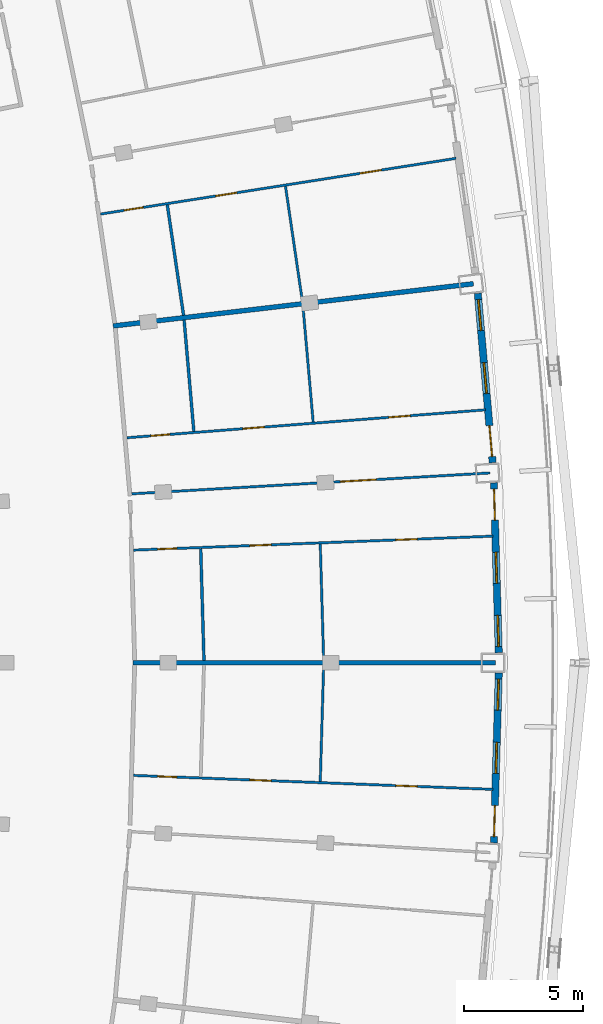
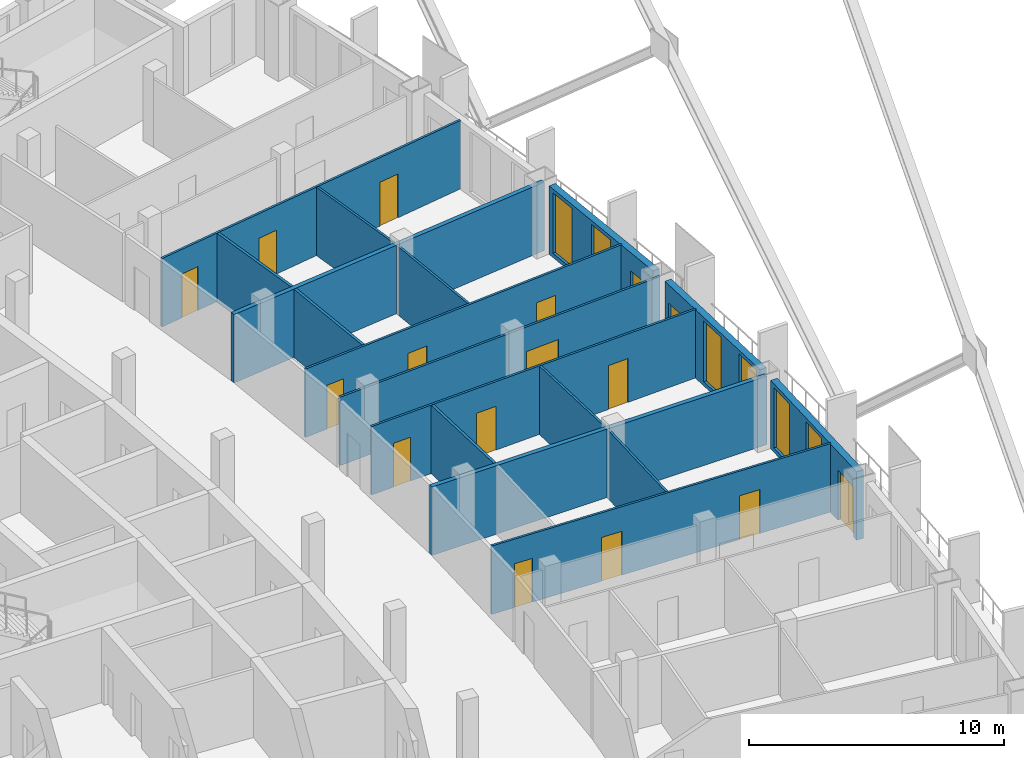
# One storey, part 12 of 21: 17 walls, 16 doors, 6 windows, 22 openings.
"""IFC4 building model written with IfcOpenShell, lengths in metres."""

from ifc_helpers import new_model, si_unit, direction, frame, frame_2d, origin, place, context, subcontext, project, spatial, rectangle, extrude, material, layer, layer_set, type_object, element, fill, save


model = new_model("IFC4")

# Units and contexts
model_context = context("Model", 3, precision=1e-05, world=origin(), true_north=direction((0.0, 1.0)))
body_context = subcontext(model_context, "Body", "Model", "MODEL_VIEW")
ifc_project = project(units=[si_unit("LENGTHUNIT", "METRE"), si_unit("AREAUNIT", "SQUARE_METRE"), si_unit("VOLUMEUNIT", "CUBIC_METRE"), si_unit("PLANEANGLEUNIT", "RADIAN"), si_unit("MASSUNIT", "GRAM", prefix="KILO")], contexts=[model_context])

# Site, building, storey
site_placement = place(None, origin())
site = spatial("IfcSite", under=ifc_project, at=site_placement, CompositionType="ELEMENT")
building_placement = place(site_placement, origin())
building = spatial("IfcBuilding", under=site, at=building_placement, Name="Alderwake Tower", CompositionType="ELEMENT")
storey_placement = place(building_placement, frame((0.0, 0.0, 267.199951171875)))
storey = spatial("IfcBuildingStorey", under=building, at=storey_placement, Name="L66", CompositionType="ELEMENT", Elevation=267.199951171875)

# Wall, openings, door, windows
ifc_material_1 = material(Name="Precast concrete C50/60 spandrel panel", Category="concrete")
ifc_layer_1 = layer(ifc_material_1, 0.300048828125)
ifc_layer_set_1 = layer_set([ifc_layer_1], Name="External wall EW1 Precast concrete C50/60 spandrel")
wall_type_1 = type_object("IfcWallType", Name="External wall EW1 Precast concrete C50/60 spandrel", PredefinedType="SOLIDWALL", material=ifc_layer_set_1)
wall_1_placement = place(storey_placement, frame((56.230224609375, 53.46630859375, 0.0), z_axis=(0.0, 0.0, 1.0), x_axis=(0.029165124817, 0.999574607268, 0.0)))
wall_1 = element("IfcWall", 1, at=wall_1_placement, inside=storey, type_object=wall_type_1, Name="External wall 15", PredefinedType="SOLIDWALL", context=body_context, shape_type="SweptSolid", body=[
    extrude(rectangle(XDim=7.115234375, YDim=0.300048828125, at=frame_2d((3.5576171875, 0.0))), origin(), (0.0, 0.0, 1.0), 3.280029296875),
])
opening_1_placement = place(wall_1_placement, frame((0.259521484375, 0.0, 0.0)))
opening_1 = element("IfcOpeningElement", 2, at=opening_1_placement, cuts=wall_1, Name="Opening D05", PredefinedType="OPENING", context=body_context, shape_type="SweptSolid", body=[
    extrude(rectangle(XDim=1.300048828125, YDim=2.39990234375, at=frame_2d((0.64990234375, 1.199951171875))), frame((0.0, 0.159912109375, 0.0), z_axis=(0.0, -1.0, 0.0), x_axis=(1.0, 0.0, 0.0)), (0.0, 0.0, 1.0), 0.320068359375),
])
opening_2_placement = place(wall_1_placement, frame((2.907470703125, 0.0, 0.199951171875)))
opening_2 = element("IfcOpeningElement", 3, at=opening_2_placement, cuts=wall_1, Name="Opening W1", PredefinedType="OPENING", context=body_context, shape_type="SweptSolid", body=[
    extrude(rectangle(XDim=1.300048828125, YDim=2.89990234375, at=frame_2d((0.64990234375, 1.449951171875))), frame((0.0, 0.159912109375, 0.0), z_axis=(0.0, -1.0, 0.0), x_axis=(1.0, 0.0, 0.0)), (0.0, 0.0, 1.0), 0.320068359375),
])
opening_3_placement = place(wall_1_placement, frame((5.555419921875, 0.0, 0.199951171875)))
opening_3 = element("IfcOpeningElement", 4, at=opening_3_placement, cuts=wall_1, Name="Opening W1", PredefinedType="OPENING", context=body_context, shape_type="SweptSolid", body=[
    extrude(rectangle(XDim=1.300048828125, YDim=2.89990234375, at=frame_2d((0.64990234375, 1.449951171875))), frame((0.0, 0.159912109375, 0.0), z_axis=(0.0, -1.0, 0.0), x_axis=(1.0, 0.0, 0.0)), (0.0, 0.0, 1.0), 0.320068359375),
])
ifc_material_2 = material(Name="Bronze tinted glass in aluminium frame", Category="aluminium")
door_type_1 = type_object("IfcDoorType", Name="Balcony door BD sliding", OperationType="SLIDING_TO_LEFT", PredefinedType="DOOR", material=ifc_material_2)
door_1_placement = place(opening_1_placement, origin())
door_1 = element("IfcDoor", 5, at=door_1_placement, inside=storey, type_object=door_type_1, Name="Door D05", OperationType="SLIDING_TO_LEFT", OverallHeight=2.39990234375, OverallWidth=1.300048828125, PredefinedType="DOOR", context=body_context, shape_type="SweptSolid", body=[
    extrude(rectangle(XDim=1.300048828125, YDim=2.39990234375, at=frame_2d((0.64990234375, 1.199951171875))), frame((0.0, 0.02490234375, 0.0), z_axis=(0.0, -1.0, 0.0), x_axis=(1.0, 0.0, 0.0)), (0.0, 0.0, 1.0), 0.050048828125),
])
fill(opening_1, door_1)
ifc_material_3 = material(Name="Bronze tinted glass in aluminium frame", Category="aluminium")
window_type = type_object("IfcWindowType", Name="Window W1 tall fixed and vent", PartitioningType="DOUBLE_PANEL_VERTICAL", PredefinedType="WINDOW", material=ifc_material_3)
window_1_placement = place(opening_2_placement, origin())
window_1 = element("IfcWindow", 6, at=window_1_placement, inside=storey, type_object=window_type, Name="Window W1 tall fixed and vent", OverallHeight=2.89990234375, OverallWidth=1.300048828125, PartitioningType="DOUBLE_PANEL_VERTICAL", PredefinedType="WINDOW", context=body_context, shape_type="SweptSolid", body=[
    extrude(rectangle(XDim=1.300048828125, YDim=2.89990234375, at=frame_2d((0.64990234375, 1.449951171875))), frame((0.0, 0.030029296875, 0.0), z_axis=(0.0, -1.0, 0.0), x_axis=(1.0, 0.0, 0.0)), (0.0, 0.0, 1.0), 0.06005859375),
])
fill(opening_2, window_1)
window_2_placement = place(opening_3_placement, origin())
window_2 = element("IfcWindow", 7, at=window_2_placement, inside=storey, type_object=window_type, Name="Window W1 tall fixed and vent", OverallHeight=2.89990234375, OverallWidth=1.300048828125, PartitioningType="DOUBLE_PANEL_VERTICAL", PredefinedType="WINDOW", context=body_context, shape_type="SweptSolid", body=[
    extrude(rectangle(XDim=1.300048828125, YDim=2.89990234375, at=frame_2d((0.64990234375, 1.449951171875))), frame((0.0, 0.030029296875, 0.0), z_axis=(0.0, -1.0, 0.0), x_axis=(1.0, 0.0, 0.0)), (0.0, 0.0, 1.0), 0.06005859375),
])
fill(opening_3, window_2)

wall_2_placement = place(storey_placement, frame((56.437744140625, 61.42138671875, 0.0), z_axis=(0.0, 0.0, 1.0), x_axis=(-0.029165124817, 0.999574607268, 0.0)))
wall_2 = element("IfcWall", 8, at=wall_2_placement, inside=storey, type_object=wall_type_1, Name="External wall 16", PredefinedType="SOLIDWALL", context=body_context, shape_type="SweptSolid", body=[
    extrude(rectangle(XDim=7.115234375, YDim=0.300048828125, at=frame_2d((3.5576171875, 0.0))), origin(), (0.0, 0.0, 1.0), 3.280029296875),
])
opening_4_placement = place(wall_2_placement, frame((0.259521484375, 0.0, 0.199951171875)))
opening_4 = element("IfcOpeningElement", 9, at=opening_4_placement, cuts=wall_2, Name="Opening W1", PredefinedType="OPENING", context=body_context, shape_type="SweptSolid", body=[
    extrude(rectangle(XDim=1.300048828125, YDim=2.89990234375, at=frame_2d((0.64990234375, 1.449951171875))), frame((0.0, 0.159912109375, 0.0), z_axis=(0.0, -1.0, 0.0), x_axis=(1.0, 0.0, 0.0)), (0.0, 0.0, 1.0), 0.320068359375),
])
opening_5_placement = place(wall_2_placement, frame((2.907470703125, 0.0, 0.199951171875)))
opening_5 = element("IfcOpeningElement", 10, at=opening_5_placement, cuts=wall_2, Name="Opening W1", PredefinedType="OPENING", context=body_context, shape_type="SweptSolid", body=[
    extrude(rectangle(XDim=1.300048828125, YDim=2.89990234375, at=frame_2d((0.64990234375, 1.449951171875))), frame((0.0, 0.159912109375, 0.0), z_axis=(0.0, -1.0, 0.0), x_axis=(1.0, 0.0, 0.0)), (0.0, 0.0, 1.0), 0.320068359375),
])
opening_6_placement = place(wall_2_placement, frame((5.555419921875, 0.0, 0.0)))
opening_6 = element("IfcOpeningElement", 11, at=opening_6_placement, cuts=wall_2, Name="Opening D06", PredefinedType="OPENING", context=body_context, shape_type="SweptSolid", body=[
    extrude(rectangle(XDim=1.300048828125, YDim=2.39990234375, at=frame_2d((0.64990234375, 1.199951171875))), frame((0.0, 0.159912109375, 0.0), z_axis=(0.0, -1.0, 0.0), x_axis=(1.0, 0.0, 0.0)), (0.0, 0.0, 1.0), 0.320068359375),
])
door_2_placement = place(opening_6_placement, origin())
door_2 = element("IfcDoor", 12, at=door_2_placement, inside=storey, type_object=door_type_1, Name="Door D06", OperationType="SLIDING_TO_LEFT", OverallHeight=2.39990234375, OverallWidth=1.300048828125, PredefinedType="DOOR", context=body_context, shape_type="SweptSolid", body=[
    extrude(rectangle(XDim=1.300048828125, YDim=2.39990234375, at=frame_2d((0.64990234375, 1.199951171875))), frame((0.0, 0.02490234375, 0.0), z_axis=(0.0, -1.0, 0.0), x_axis=(1.0, 0.0, 0.0)), (0.0, 0.0, 1.0), 0.050048828125),
])
fill(opening_6, door_2)
window_3_placement = place(opening_4_placement, origin())
window_3 = element("IfcWindow", 13, at=window_3_placement, inside=storey, type_object=window_type, Name="Window W1 tall fixed and vent", OverallHeight=2.89990234375, OverallWidth=1.300048828125, PartitioningType="DOUBLE_PANEL_VERTICAL", PredefinedType="WINDOW", context=body_context, shape_type="SweptSolid", body=[
    extrude(rectangle(XDim=1.300048828125, YDim=2.89990234375, at=frame_2d((0.64990234375, 1.449951171875))), frame((0.0, 0.030029296875, 0.0), z_axis=(0.0, -1.0, 0.0), x_axis=(1.0, 0.0, 0.0)), (0.0, 0.0, 1.0), 0.06005859375),
])
fill(opening_4, window_3)
window_4_placement = place(opening_5_placement, origin())
window_4 = element("IfcWindow", 14, at=window_4_placement, inside=storey, type_object=window_type, Name="Window W1 tall fixed and vent", OverallHeight=2.89990234375, OverallWidth=1.300048828125, PartitioningType="DOUBLE_PANEL_VERTICAL", PredefinedType="WINDOW", context=body_context, shape_type="SweptSolid", body=[
    extrude(rectangle(XDim=1.300048828125, YDim=2.89990234375, at=frame_2d((0.64990234375, 1.449951171875))), frame((0.0, 0.030029296875, 0.0), z_axis=(0.0, -1.0, 0.0), x_axis=(1.0, 0.0, 0.0)), (0.0, 0.0, 1.0), 0.06005859375),
])
fill(opening_5, window_4)

wall_3_placement = place(storey_placement, frame((56.180908203125, 69.375244140625, 0.0), z_axis=(0.0, 0.0, 1.0), x_axis=(-0.08736403326, 0.996176453091, 0.0)))
wall_3 = element("IfcWall", 15, at=wall_3_placement, inside=storey, type_object=wall_type_1, Name="External wall 17", PredefinedType="SOLIDWALL", context=body_context, shape_type="SweptSolid", body=[
    extrude(rectangle(XDim=7.11474609375, YDim=0.300048828125, at=frame_2d((3.557373046875, 0.0))), origin(), (0.0, 0.0, 1.0), 3.280029296875),
])
opening_7_placement = place(wall_3_placement, frame((0.259521484375, 0.0, 0.0)))
opening_7 = element("IfcOpeningElement", 16, at=opening_7_placement, cuts=wall_3, Name="Opening D07", PredefinedType="OPENING", context=body_context, shape_type="SweptSolid", body=[
    extrude(rectangle(XDim=1.300048828125, YDim=2.39990234375, at=frame_2d((0.64990234375, 1.199951171875))), frame((0.0, 0.159912109375, 0.0), z_axis=(0.0, -1.0, 0.0), x_axis=(1.0, 0.0, 0.0)), (0.0, 0.0, 1.0), 0.320068359375),
])
opening_8_placement = place(wall_3_placement, frame((2.907470703125, 0.0, 0.199951171875)))
opening_8 = element("IfcOpeningElement", 17, at=opening_8_placement, cuts=wall_3, Name="Opening W1", PredefinedType="OPENING", context=body_context, shape_type="SweptSolid", body=[
    extrude(rectangle(XDim=1.300048828125, YDim=2.89990234375, at=frame_2d((0.64990234375, 1.449951171875))), frame((0.0, 0.159912109375, 0.0), z_axis=(0.0, -1.0, 0.0), x_axis=(1.0, 0.0, 0.0)), (0.0, 0.0, 1.0), 0.320068359375),
])
opening_9_placement = place(wall_3_placement, frame((5.555419921875, 0.0, 0.199951171875)))
opening_9 = element("IfcOpeningElement", 18, at=opening_9_placement, cuts=wall_3, Name="Opening W1", PredefinedType="OPENING", context=body_context, shape_type="SweptSolid", body=[
    extrude(rectangle(XDim=1.300048828125, YDim=2.89990234375, at=frame_2d((0.64990234375, 1.449951171875))), frame((0.0, 0.159912109375, 0.0), z_axis=(0.0, -1.0, 0.0), x_axis=(1.0, 0.0, 0.0)), (0.0, 0.0, 1.0), 0.320068359375),
])
door_3_placement = place(opening_7_placement, origin())
door_3 = element("IfcDoor", 19, at=door_3_placement, inside=storey, type_object=door_type_1, Name="Door D07", OperationType="SLIDING_TO_LEFT", OverallHeight=2.39990234375, OverallWidth=1.300048828125, PredefinedType="DOOR", context=body_context, shape_type="SweptSolid", body=[
    extrude(rectangle(XDim=1.300048828125, YDim=2.39990234375, at=frame_2d((0.64990234375, 1.199951171875))), frame((0.0, 0.02490234375, 0.0), z_axis=(0.0, -1.0, 0.0), x_axis=(1.0, 0.0, 0.0)), (0.0, 0.0, 1.0), 0.050048828125),
])
fill(opening_7, door_3)
window_5_placement = place(opening_8_placement, origin())
window_5 = element("IfcWindow", 20, at=window_5_placement, inside=storey, type_object=window_type, Name="Window W1 tall fixed and vent", OverallHeight=2.89990234375, OverallWidth=1.300048828125, PartitioningType="DOUBLE_PANEL_VERTICAL", PredefinedType="WINDOW", context=body_context, shape_type="SweptSolid", body=[
    extrude(rectangle(XDim=1.300048828125, YDim=2.89990234375, at=frame_2d((0.64990234375, 1.449951171875))), frame((0.0, 0.030029296875, 0.0), z_axis=(0.0, -1.0, 0.0), x_axis=(1.0, 0.0, 0.0)), (0.0, 0.0, 1.0), 0.06005859375),
])
fill(opening_8, window_5)
window_6_placement = place(opening_9_placement, origin())
window_6 = element("IfcWindow", 21, at=window_6_placement, inside=storey, type_object=window_type, Name="Window W1 tall fixed and vent", OverallHeight=2.89990234375, OverallWidth=1.300048828125, PartitioningType="DOUBLE_PANEL_VERTICAL", PredefinedType="WINDOW", context=body_context, shape_type="SweptSolid", body=[
    extrude(rectangle(XDim=1.300048828125, YDim=2.89990234375, at=frame_2d((0.64990234375, 1.449951171875))), frame((0.0, 0.030029296875, 0.0), z_axis=(0.0, -1.0, 0.0), x_axis=(1.0, 0.0, 0.0)), (0.0, 0.0, 1.0), 0.06005859375),
])
fill(opening_9, window_6)

# Walls
ifc_material_4 = material(Name="Dense block masonry wall", Category="masonry")
ifc_layer_2 = layer(ifc_material_4, 0.199951171875)
ifc_layer_set_2 = layer_set([ifc_layer_2], Name="Party wall 200")
wall_type_2 = type_object("IfcWallType", Name="Party wall 200", PredefinedType="SOLIDWALL", material=ifc_layer_set_2)
wall_4_placement = place(storey_placement, frame((55.3740234375, 76.865966796875, 0.0), z_axis=(0.0, 0.0, 1.0), x_axis=(-0.993199152778, -0.116427844266, 0.0)))
element("IfcWall", 22, at=wall_4_placement, inside=storey, type_object=wall_type_2, Name="WL/L66/W02", PredefinedType="SOLIDWALL", context=body_context, shape_type="SweptSolid", body=[
    extrude(rectangle(XDim=15.1796875, YDim=0.199951171875, at=frame_2d((7.58984375, 0.0))), origin(), (0.0, 0.0, 1.0), 3.280029296875),
])
wall_5_placement = place(storey_placement, frame((56.301025390625, 60.9990234375, 0.0), z_axis=(0.0, 0.0, 1.0), x_axis=(-1.0, 0.0, 0.0)))
element("IfcWall", 23, at=wall_5_placement, inside=storey, type_object=wall_type_2, Name="WL/L66/W03", PredefinedType="SOLIDWALL", context=body_context, shape_type="SweptSolid", body=[
    extrude(rectangle(XDim=15.18212890625, YDim=0.199951171875, at=frame_2d((7.591064453125, 0.0))), origin(), (0.0, 0.0, 1.0), 3.280029296875),
])

# Wall, openings, doors
ifc_material_5 = material(Name="Gypsum board on metal studs")
ifc_layer_3 = layer(ifc_material_5, 0.10009765625)
ifc_layer_set_3 = layer_set([ifc_layer_3], Name="Unit partition 100")
wall_type_3 = type_object("IfcWallType", Name="Unit partition 100", PredefinedType="PARTITIONING", material=ifc_layer_set_3)
wall_6_placement = place(storey_placement, frame((54.65087890625, 82.115966796875, 0.0), z_axis=(0.0, 0.0, 1.0), x_axis=(-0.987928768537, -0.154908838665, 0.0)))
wall_6 = element("IfcWall", 24, at=wall_6_placement, inside=storey, type_object=wall_type_3, Name="WL/L66/W41", PredefinedType="PARTITIONING", context=body_context, shape_type="SweptSolid", body=[
    extrude(rectangle(XDim=15.063720703125, YDim=0.10009765625, at=frame_2d((7.53173828125, 0.0))), origin(), (0.0, 0.0, 1.0), 3.280029296875),
])
opening_10_placement = place(wall_6_placement, frame((9.28955078125, 0.0, 0.0)))
opening_10 = element("IfcOpeningElement", 25, at=opening_10_placement, cuts=wall_6, Name="Opening R19-U06.1", PredefinedType="OPENING", context=body_context, shape_type="SweptSolid", body=[
    extrude(rectangle(XDim=0.89990234375, YDim=2.10009765625, at=frame_2d((0.449951171875, 1.050048828125))), frame((0.0, 0.06005859375, 0.0), z_axis=(0.0, -1.0, 0.0), x_axis=(1.0, 0.0, 0.0)), (0.0, 0.0, 1.0), 0.1201171875),
])
opening_11_placement = place(wall_6_placement, frame((13.253662109375, 0.0, 0.0)))
opening_11 = element("IfcOpeningElement", 26, at=opening_11_placement, cuts=wall_6, Name="Opening R19-U06.3", PredefinedType="OPENING", context=body_context, shape_type="SweptSolid", body=[
    extrude(rectangle(XDim=0.800048828125, YDim=2.10009765625, at=frame_2d((0.39990234375, 1.050048828125))), frame((0.0, 0.06005859375, 0.0), z_axis=(0.0, -1.0, 0.0), x_axis=(1.0, 0.0, 0.0)), (0.0, 0.0, 1.0), 0.1201171875),
])
opening_12_placement = place(wall_6_placement, frame((3.167724609375, 0.0, 0.0)))
opening_12 = element("IfcOpeningElement", 27, at=opening_12_placement, cuts=wall_6, Name="Opening R19-U06.4", PredefinedType="OPENING", context=body_context, shape_type="SweptSolid", body=[
    extrude(rectangle(XDim=0.89990234375, YDim=2.10009765625, at=frame_2d((0.449951171875, 1.050048828125))), frame((0.0, 0.06005859375, 0.0), z_axis=(0.0, -1.0, 0.0), x_axis=(1.0, 0.0, 0.0)), (0.0, 0.0, 1.0), 0.1201171875),
])
ifc_material_6 = material(Name="Painted timber leaf", Category="wood")
door_type_2 = type_object("IfcDoorType", Name="Bathroom door 800", OperationType="SINGLE_SWING_LEFT", PredefinedType="DOOR", material=ifc_material_6)
door_4_placement = place(opening_11_placement, origin())
door_4 = element("IfcDoor", 28, at=door_4_placement, inside=storey, type_object=door_type_2, Name="DR/L66/U06.3", OperationType="SINGLE_SWING_LEFT", OverallHeight=2.10009765625, OverallWidth=0.800048828125, PredefinedType="DOOR", context=body_context, shape_type="SweptSolid", body=[
    extrude(rectangle(XDim=0.800048828125, YDim=2.10009765625, at=frame_2d((0.39990234375, 1.050048828125))), frame((0.0, 0.02490234375, 0.0), z_axis=(0.0, -1.0, 0.0), x_axis=(1.0, 0.0, 0.0)), (0.0, 0.0, 1.0), 0.050048828125),
])
fill(opening_11, door_4)
ifc_material_7 = material(Name="Painted timber leaf", Category="wood")
door_type_3 = type_object("IfcDoorType", Name="Room door 900", OperationType="SINGLE_SWING_LEFT", PredefinedType="DOOR", material=ifc_material_7)
door_5_placement = place(opening_10_placement, origin())
door_5 = element("IfcDoor", 29, at=door_5_placement, inside=storey, type_object=door_type_3, Name="DR/L66/U06.1", OperationType="SINGLE_SWING_LEFT", OverallHeight=2.10009765625, OverallWidth=0.89990234375, PredefinedType="DOOR", context=body_context, shape_type="SweptSolid", body=[
    extrude(rectangle(XDim=0.89990234375, YDim=2.10009765625, at=frame_2d((0.449951171875, 1.050048828125))), frame((0.0, 0.02490234375, 0.0), z_axis=(0.0, -1.0, 0.0), x_axis=(1.0, 0.0, 0.0)), (0.0, 0.0, 1.0), 0.050048828125),
])
fill(opening_10, door_5)
door_6_placement = place(opening_12_placement, origin())
door_6 = element("IfcDoor", 30, at=door_6_placement, inside=storey, type_object=door_type_3, Name="DR/L66/U06.4", OperationType="SINGLE_SWING_LEFT", OverallHeight=2.10009765625, OverallWidth=0.89990234375, PredefinedType="DOOR", context=body_context, shape_type="SweptSolid", body=[
    extrude(rectangle(XDim=0.89990234375, YDim=2.10009765625, at=frame_2d((0.449951171875, 1.050048828125))), frame((0.0, 0.02490234375, 0.0), z_axis=(0.0, -1.0, 0.0), x_axis=(1.0, 0.0, 0.0)), (0.0, 0.0, 1.0), 0.050048828125),
])
fill(opening_12, door_6)

wall_7_placement = place(storey_placement, frame((40.867919921875, 70.419189453125, 0.0), z_axis=(0.0, 0.0, 1.0), x_axis=(0.996978678342, 0.077675703616, 0.0)))
wall_7 = element("IfcWall", 31, at=wall_7_placement, inside=storey, type_object=wall_type_3, Name="WL/L66/W43", PredefinedType="PARTITIONING", context=body_context, shape_type="SweptSolid", body=[
    extrude(rectangle(XDim=15.0615234375, YDim=0.10009765625, at=frame_2d((7.53076171875, 0.0))), origin(), (0.0, 0.0, 1.0), 3.280029296875),
])
opening_13_placement = place(wall_7_placement, frame((4.872802734375, 0.0, 0.0)))
opening_13 = element("IfcOpeningElement", 32, at=opening_13_placement, cuts=wall_7, Name="Opening R19-U05.5", PredefinedType="OPENING", context=body_context, shape_type="SweptSolid", body=[
    extrude(rectangle(XDim=0.89990234375, YDim=2.10009765625, at=frame_2d((0.449951171875, 1.050048828125))), frame((0.0, 0.06005859375, 0.0), z_axis=(0.0, -1.0, 0.0), x_axis=(1.0, 0.0, 0.0)), (0.0, 0.0, 1.0), 0.1201171875),
])
opening_14_placement = place(wall_7_placement, frame((1.009521484375, 0.0, 0.0)))
opening_14 = element("IfcOpeningElement", 33, at=opening_14_placement, cuts=wall_7, Name="Opening R19-U05.6", PredefinedType="OPENING", context=body_context, shape_type="SweptSolid", body=[
    extrude(rectangle(XDim=0.800048828125, YDim=2.10009765625, at=frame_2d((0.39990234375, 1.050048828125))), frame((0.0, 0.06005859375, 0.0), z_axis=(0.0, -1.0, 0.0), x_axis=(1.0, 0.0, 0.0)), (0.0, 0.0, 1.0), 0.1201171875),
])
opening_15_placement = place(wall_7_placement, frame((10.994384765625, 0.0, 0.0)))
opening_15 = element("IfcOpeningElement", 34, at=opening_15_placement, cuts=wall_7, Name="Opening R19-U05.7", PredefinedType="OPENING", context=body_context, shape_type="SweptSolid", body=[
    extrude(rectangle(XDim=0.89990234375, YDim=2.10009765625, at=frame_2d((0.449951171875, 1.050048828125))), frame((0.0, 0.06005859375, 0.0), z_axis=(0.0, -1.0, 0.0), x_axis=(1.0, 0.0, 0.0)), (0.0, 0.0, 1.0), 0.1201171875),
])
door_7_placement = place(opening_14_placement, origin())
door_7 = element("IfcDoor", 35, at=door_7_placement, inside=storey, type_object=door_type_2, Name="DR/L66/U05.6", OperationType="SINGLE_SWING_LEFT", OverallHeight=2.10009765625, OverallWidth=0.800048828125, PredefinedType="DOOR", context=body_context, shape_type="SweptSolid", body=[
    extrude(rectangle(XDim=0.800048828125, YDim=2.10009765625, at=frame_2d((0.39990234375, 1.050048828125))), frame((0.0, 0.02490234375, 0.0), z_axis=(0.0, -1.0, 0.0), x_axis=(1.0, 0.0, 0.0)), (0.0, 0.0, 1.0), 0.050048828125),
])
fill(opening_14, door_7)
door_8_placement = place(opening_13_placement, origin())
door_8 = element("IfcDoor", 36, at=door_8_placement, inside=storey, type_object=door_type_3, Name="DR/L66/U05.5", OperationType="SINGLE_SWING_LEFT", OverallHeight=2.10009765625, OverallWidth=0.89990234375, PredefinedType="DOOR", context=body_context, shape_type="SweptSolid", body=[
    extrude(rectangle(XDim=0.89990234375, YDim=2.10009765625, at=frame_2d((0.449951171875, 1.050048828125))), frame((0.0, 0.02490234375, 0.0), z_axis=(0.0, -1.0, 0.0), x_axis=(1.0, 0.0, 0.0)), (0.0, 0.0, 1.0), 0.050048828125),
])
fill(opening_13, door_8)
door_9_placement = place(opening_15_placement, origin())
door_9 = element("IfcDoor", 37, at=door_9_placement, inside=storey, type_object=door_type_3, Name="DR/L66/U05.7", OperationType="SINGLE_SWING_LEFT", OverallHeight=2.10009765625, OverallWidth=0.89990234375, PredefinedType="DOOR", context=body_context, shape_type="SweptSolid", body=[
    extrude(rectangle(XDim=0.89990234375, YDim=2.10009765625, at=frame_2d((0.449951171875, 1.050048828125))), frame((0.0, 0.02490234375, 0.0), z_axis=(0.0, -1.0, 0.0), x_axis=(1.0, 0.0, 0.0)), (0.0, 0.0, 1.0), 0.050048828125),
])
fill(opening_15, door_9)

wall_8_placement = place(storey_placement, frame((41.143798828125, 56.285888671875, 0.0), z_axis=(0.0, 0.0, 1.0), x_axis=(0.999245431944, -0.038840272135, 0.0)))
wall_8 = element("IfcWall", 38, at=wall_8_placement, inside=storey, type_object=wall_type_3, Name="WL/L66/W44", PredefinedType="PARTITIONING", context=body_context, shape_type="SweptSolid", body=[
    extrude(rectangle(XDim=15.060791015625, YDim=0.10009765625, at=frame_2d((7.5302734375, 0.0))), origin(), (0.0, 0.0, 1.0), 3.280029296875),
])
opening_16_placement = place(wall_8_placement, frame((4.87158203125, 0.0, 0.0)))
opening_16 = element("IfcOpeningElement", 39, at=opening_16_placement, cuts=wall_8, Name="Opening R19-U04.5", PredefinedType="OPENING", context=body_context, shape_type="SweptSolid", body=[
    extrude(rectangle(XDim=0.89990234375, YDim=2.10009765625, at=frame_2d((0.449951171875, 1.050048828125))), frame((0.0, 0.06005859375, 0.0), z_axis=(0.0, -1.0, 0.0), x_axis=(1.0, 0.0, 0.0)), (0.0, 0.0, 1.0), 0.1201171875),
])
opening_17_placement = place(wall_8_placement, frame((1.0087890625, 0.0, 0.0)))
opening_17 = element("IfcOpeningElement", 40, at=opening_17_placement, cuts=wall_8, Name="Opening R19-U04.6", PredefinedType="OPENING", context=body_context, shape_type="SweptSolid", body=[
    extrude(rectangle(XDim=0.800048828125, YDim=2.10009765625, at=frame_2d((0.39990234375, 1.050048828125))), frame((0.0, 0.06005859375, 0.0), z_axis=(0.0, -1.0, 0.0), x_axis=(1.0, 0.0, 0.0)), (0.0, 0.0, 1.0), 0.1201171875),
])
opening_18_placement = place(wall_8_placement, frame((10.992919921875, 0.0, 0.0)))
opening_18 = element("IfcOpeningElement", 41, at=opening_18_placement, cuts=wall_8, Name="Opening R19-U04.7", PredefinedType="OPENING", context=body_context, shape_type="SweptSolid", body=[
    extrude(rectangle(XDim=0.89990234375, YDim=2.10009765625, at=frame_2d((0.449951171875, 1.050048828125))), frame((0.0, 0.06005859375, 0.0), z_axis=(0.0, -1.0, 0.0), x_axis=(1.0, 0.0, 0.0)), (0.0, 0.0, 1.0), 0.1201171875),
])
door_10_placement = place(opening_17_placement, origin())
door_10 = element("IfcDoor", 42, at=door_10_placement, inside=storey, type_object=door_type_2, Name="DR/L66/U04.6", OperationType="SINGLE_SWING_LEFT", OverallHeight=2.10009765625, OverallWidth=0.800048828125, PredefinedType="DOOR", context=body_context, shape_type="SweptSolid", body=[
    extrude(rectangle(XDim=0.800048828125, YDim=2.10009765625, at=frame_2d((0.39990234375, 1.050048828125))), frame((0.0, 0.02490234375, 0.0), z_axis=(0.0, -1.0, 0.0), x_axis=(1.0, 0.0, 0.0)), (0.0, 0.0, 1.0), 0.050048828125),
])
fill(opening_17, door_10)
door_11_placement = place(opening_16_placement, origin())
door_11 = element("IfcDoor", 43, at=door_11_placement, inside=storey, type_object=door_type_3, Name="DR/L66/U04.5", OperationType="SINGLE_SWING_LEFT", OverallHeight=2.10009765625, OverallWidth=0.89990234375, PredefinedType="DOOR", context=body_context, shape_type="SweptSolid", body=[
    extrude(rectangle(XDim=0.89990234375, YDim=2.10009765625, at=frame_2d((0.449951171875, 1.050048828125))), frame((0.0, 0.02490234375, 0.0), z_axis=(0.0, -1.0, 0.0), x_axis=(1.0, 0.0, 0.0)), (0.0, 0.0, 1.0), 0.050048828125),
])
fill(opening_16, door_11)
door_12_placement = place(opening_18_placement, origin())
door_12 = element("IfcDoor", 44, at=door_12_placement, inside=storey, type_object=door_type_3, Name="DR/L66/U04.7", OperationType="SINGLE_SWING_LEFT", OverallHeight=2.10009765625, OverallWidth=0.89990234375, PredefinedType="DOOR", context=body_context, shape_type="SweptSolid", body=[
    extrude(rectangle(XDim=0.89990234375, YDim=2.10009765625, at=frame_2d((0.449951171875, 1.050048828125))), frame((0.0, 0.02490234375, 0.0), z_axis=(0.0, -1.0, 0.0), x_axis=(1.0, 0.0, 0.0)), (0.0, 0.0, 1.0), 0.050048828125),
])
fill(opening_18, door_12)

wall_9_placement = place(storey_placement, frame((56.193115234375, 66.300048828125, 0.0), z_axis=(0.0, 0.0, 1.0), x_axis=(-0.999245431944, -0.038840272135, 0.0)))
wall_9 = element("IfcWall", 45, at=wall_9_placement, inside=storey, type_object=wall_type_3, Name="WL/L66/W45", PredefinedType="PARTITIONING", context=body_context, shape_type="SweptSolid", body=[
    extrude(rectangle(XDim=15.060791015625, YDim=0.10009765625, at=frame_2d((7.5302734375, 0.0))), origin(), (0.0, 0.0, 1.0), 3.280029296875),
])
opening_19_placement = place(wall_9_placement, frame((9.2890625, 0.0, 0.0)))
opening_19 = element("IfcOpeningElement", 46, at=opening_19_placement, cuts=wall_9, Name="Opening R19-U05.1", PredefinedType="OPENING", context=body_context, shape_type="SweptSolid", body=[
    extrude(rectangle(XDim=0.89990234375, YDim=2.10009765625, at=frame_2d((0.449951171875, 1.050048828125))), frame((0.0, 0.06005859375, 0.0), z_axis=(0.0, -1.0, 0.0), x_axis=(1.0, 0.0, 0.0)), (0.0, 0.0, 1.0), 0.1201171875),
])
opening_20_placement = place(wall_9_placement, frame((13.251708984375, 0.0, 0.0)))
opening_20 = element("IfcOpeningElement", 47, at=opening_20_placement, cuts=wall_9, Name="Opening R19-U05.3", PredefinedType="OPENING", context=body_context, shape_type="SweptSolid", body=[
    extrude(rectangle(XDim=0.800048828125, YDim=2.10009765625, at=frame_2d((0.39990234375, 1.050048828125))), frame((0.0, 0.06005859375, 0.0), z_axis=(0.0, -1.0, 0.0), x_axis=(1.0, 0.0, 0.0)), (0.0, 0.0, 1.0), 0.1201171875),
])
opening_21_placement = place(wall_9_placement, frame((3.16748046875, 0.0, 0.0)))
opening_21 = element("IfcOpeningElement", 48, at=opening_21_placement, cuts=wall_9, Name="Opening R19-U05.4", PredefinedType="OPENING", context=body_context, shape_type="SweptSolid", body=[
    extrude(rectangle(XDim=0.89990234375, YDim=2.10009765625, at=frame_2d((0.449951171875, 1.050048828125))), frame((0.0, 0.06005859375, 0.0), z_axis=(0.0, -1.0, 0.0), x_axis=(1.0, 0.0, 0.0)), (0.0, 0.0, 1.0), 0.1201171875),
])
door_13_placement = place(opening_20_placement, origin())
door_13 = element("IfcDoor", 49, at=door_13_placement, inside=storey, type_object=door_type_2, Name="DR/L66/U05.3", OperationType="SINGLE_SWING_LEFT", OverallHeight=2.10009765625, OverallWidth=0.800048828125, PredefinedType="DOOR", context=body_context, shape_type="SweptSolid", body=[
    extrude(rectangle(XDim=0.800048828125, YDim=2.10009765625, at=frame_2d((0.39990234375, 1.050048828125))), frame((0.0, 0.02490234375, 0.0), z_axis=(0.0, -1.0, 0.0), x_axis=(1.0, 0.0, 0.0)), (0.0, 0.0, 1.0), 0.050048828125),
])
fill(opening_20, door_13)
door_14_placement = place(opening_19_placement, origin())
door_14 = element("IfcDoor", 50, at=door_14_placement, inside=storey, type_object=door_type_3, Name="DR/L66/U05.1", OperationType="SINGLE_SWING_LEFT", OverallHeight=2.10009765625, OverallWidth=0.89990234375, PredefinedType="DOOR", context=body_context, shape_type="SweptSolid", body=[
    extrude(rectangle(XDim=0.89990234375, YDim=2.10009765625, at=frame_2d((0.449951171875, 1.050048828125))), frame((0.0, 0.02490234375, 0.0), z_axis=(0.0, -1.0, 0.0), x_axis=(1.0, 0.0, 0.0)), (0.0, 0.0, 1.0), 0.050048828125),
])
fill(opening_19, door_14)
door_15_placement = place(opening_21_placement, origin())
door_15 = element("IfcDoor", 51, at=door_15_placement, inside=storey, type_object=door_type_3, Name="DR/L66/U05.4", OperationType="SINGLE_SWING_LEFT", OverallHeight=2.10009765625, OverallWidth=0.89990234375, PredefinedType="DOOR", context=body_context, shape_type="SweptSolid", body=[
    extrude(rectangle(XDim=0.89990234375, YDim=2.10009765625, at=frame_2d((0.449951171875, 1.050048828125))), frame((0.0, 0.02490234375, 0.0), z_axis=(0.0, -1.0, 0.0), x_axis=(1.0, 0.0, 0.0)), (0.0, 0.0, 1.0), 0.050048828125),
])
fill(opening_21, door_15)

# Walls
wall_10_placement = place(storey_placement, frame((48.216552734375, 76.1279296875, 0.0), z_axis=(0.0, 0.0, 1.0), x_axis=(-0.14519530572, 0.989403013537, 0.0)))
element("IfcWall", 52, at=wall_10_placement, inside=storey, type_object=wall_type_3, Name="WL/L66/W50", PredefinedType="PARTITIONING", context=body_context, shape_type="SweptSolid", body=[
    extrude(rectangle(XDim=4.87109375, YDim=0.10009765625, at=frame_2d((2.435546875, 0.0))), origin(), (0.0, 0.0, 1.0), 3.280029296875),
])
wall_11_placement = place(storey_placement, frame((48.66748046875, 71.077880859375, 0.0), z_axis=(0.0, 0.0, 1.0), x_axis=(-0.087827973978, 0.99613565692, 0.0)))
element("IfcWall", 53, at=wall_11_placement, inside=storey, type_object=wall_type_3, Name="WL/L66/W51", PredefinedType="PARTITIONING", context=body_context, shape_type="SweptSolid", body=[
    extrude(rectangle(XDim=4.8701171875, YDim=0.10009765625, at=frame_2d((2.43505859375, 0.0))), origin(), (0.0, 0.0, 1.0), 3.280029296875),
])
wall_12_placement = place(storey_placement, frame((48.964599609375, 56.032958984375, 0.0), z_axis=(0.0, 0.0, 1.0), x_axis=(0.029288518569, 0.999570999319, 0.0)))
element("IfcWall", 54, at=wall_12_placement, inside=storey, type_object=wall_type_3, Name="WL/L66/W52", PredefinedType="PARTITIONING", context=body_context, shape_type="SweptSolid", body=[
    extrude(rectangle(XDim=4.8681640625, YDim=0.10009765625, at=frame_2d((2.43408203125, 0.0))), origin(), (0.0, 0.0, 1.0), 3.280029296875),
])
wall_13_placement = place(storey_placement, frame((49.107177734375, 61.09912109375, 0.0), z_axis=(0.0, 0.0, 1.0), x_axis=(-0.029270910336, 0.999571515104, 0.0)))
element("IfcWall", 55, at=wall_13_placement, inside=storey, type_object=wall_type_3, Name="WL/L66/W53", PredefinedType="PARTITIONING", context=body_context, shape_type="SweptSolid", body=[
    extrude(rectangle(XDim=4.87109375, YDim=0.10009765625, at=frame_2d((2.435546875, 0.0))), origin(), (0.0, 0.0, 1.0), 3.280029296875),
])

# Wall, opening, door
wall_14_placement = place(storey_placement, frame((41.074951171875, 68.07177734375, 0.0), z_axis=(0.0, 0.0, 1.0), x_axis=(0.998303956772, 0.058216921022, 0.0)))
wall_14 = element("IfcWall", 56, at=wall_14_placement, inside=storey, type_object=wall_type_3, Name="WL/L66/W57", PredefinedType="PARTITIONING", context=body_context, shape_type="SweptSolid", body=[
    extrude(rectangle(XDim=15.017333984375, YDim=0.10009765625, at=frame_2d((7.5087890625, 0.0))), origin(), (0.0, 0.0, 1.0), 3.280029296875),
])
opening_22_placement = place(wall_14_placement, frame((8.75048828125, 0.0, 0.0)))
opening_22 = element("IfcOpeningElement", 57, at=opening_22_placement, cuts=wall_14, Name="Opening R19-U05.8", PredefinedType="OPENING", context=body_context, shape_type="SweptSolid", body=[
    extrude(rectangle(XDim=1.5, YDim=2.10009765625, at=frame_2d((0.75, 1.050048828125))), frame((0.0, 0.06005859375, 0.0), z_axis=(0.0, -1.0, 0.0), x_axis=(1.0, 0.0, 0.0)), (0.0, 0.0, 1.0), 0.1201171875),
])
ifc_material_8 = material(Name="Painted timber leaves", Category="wood")
door_type_4 = type_object("IfcDoorType", Name="Double leaf door 1500", OperationType="DOUBLE_DOOR_SINGLE_SWING", PredefinedType="DOOR", material=ifc_material_8)
door_16_placement = place(opening_22_placement, origin())
door_16 = element("IfcDoor", 58, at=door_16_placement, inside=storey, type_object=door_type_4, Name="DR/L66/U05.8", OperationType="DOUBLE_DOOR_SINGLE_SWING", OverallHeight=2.10009765625, OverallWidth=1.5, PredefinedType="DOOR", context=body_context, shape_type="SweptSolid", body=[
    extrude(rectangle(XDim=1.5, YDim=2.10009765625, at=frame_2d((0.75, 1.050048828125))), frame((0.0, 0.02490234375, 0.0), z_axis=(0.0, -1.0, 0.0), x_axis=(1.0, 0.0, 0.0)), (0.0, 0.0, 1.0), 0.050048828125),
])
fill(opening_22, door_16)

# Walls
ifc_material_9 = material(Name="Moisture resistant gypsum board on metal studs")
ifc_layer_4 = layer(ifc_material_9, 0.1201171875)
ifc_layer_set_4 = layer_set([ifc_layer_4], Name="Wet room partition 120")
wall_type_4 = type_object("IfcWallType", Name="Wet room partition 120", PredefinedType="PARTITIONING", material=ifc_layer_set_4)
wall_15_placement = place(storey_placement, frame((43.242431640625, 75.5458984375, 0.0), z_axis=(0.0, 0.0, 1.0), x_axis=(-0.145515042, 0.989356039326, 0.0)))
element("IfcWall", 59, at=wall_15_placement, inside=storey, type_object=wall_type_4, Name="WL/L66/W34", PredefinedType="PARTITIONING", context=body_context, shape_type="SweptSolid", body=[
    extrude(rectangle(XDim=4.67431640625, YDim=0.1201171875, at=frame_2d((2.337158203125, 0.0))), origin(), (0.0, 0.0, 1.0), 3.280029296875),
])
wall_16_placement = place(storey_placement, frame((43.672607421875, 70.687744140625, 0.0), z_axis=(0.0, 0.0, 1.0), x_axis=(-0.087010256841, 0.996207415755, 0.0)))
element("IfcWall", 60, at=wall_16_placement, inside=storey, type_object=wall_type_4, Name="WL/L66/W35", PredefinedType="PARTITIONING", context=body_context, shape_type="SweptSolid", body=[
    extrude(rectangle(XDim=4.677490234375, YDim=0.1201171875, at=frame_2d((2.3388671875, 0.0))), origin(), (0.0, 0.0, 1.0), 3.280029296875),
])
wall_17_placement = place(storey_placement, frame((44.09716796875, 61.09912109375, 0.0), z_axis=(0.0, 0.0, 1.0), x_axis=(-0.029239477833, 0.999572435062, 0.0)))
element("IfcWall", 61, at=wall_17_placement, inside=storey, type_object=wall_type_4, Name="WL/L66/W37", PredefinedType="PARTITIONING", context=body_context, shape_type="SweptSolid", body=[
    extrude(rectangle(XDim=4.67578125, YDim=0.1201171875, at=frame_2d((2.337890625, 0.0))), origin(), (0.0, 0.0, 1.0), 3.280029296875),
])

save(model, "model.ifc")
